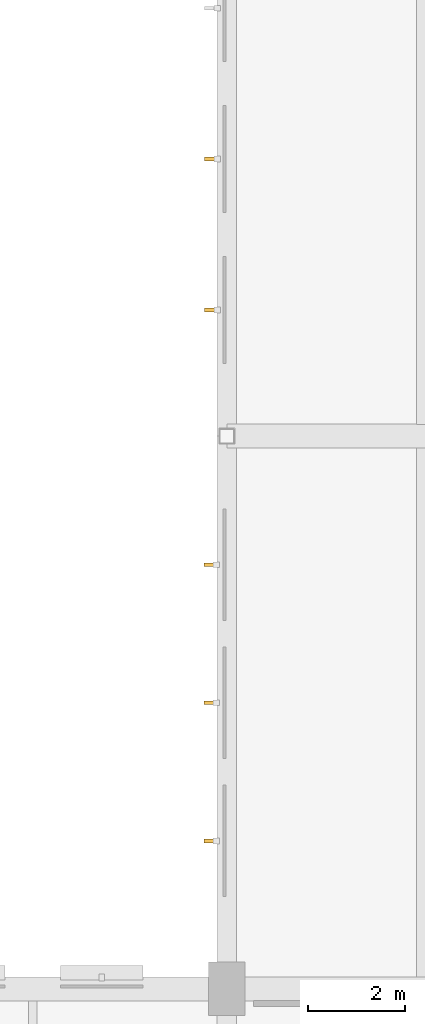
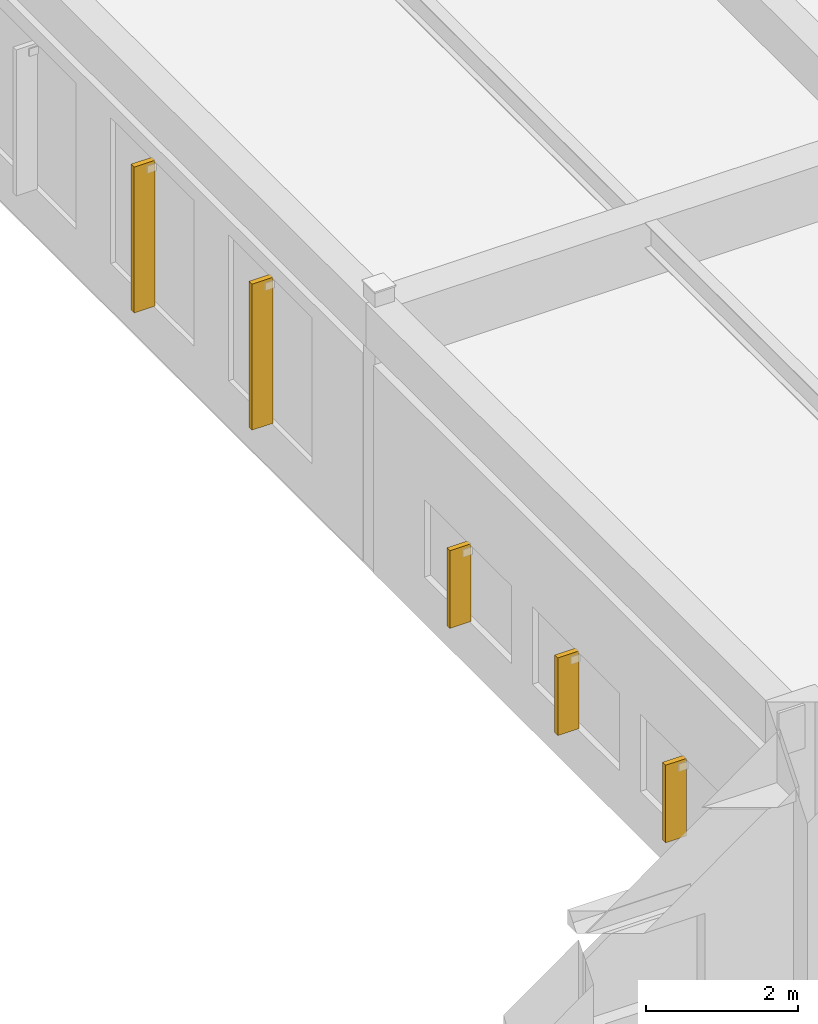
# One storey, part 76 of 80: 5 shading devices.
"""IFC4 building model written with IfcOpenShell, lengths in metres."""

from ifc_helpers import new_model, si_unit, direction, frame, origin, origin_2d, place, context, subcontext, project, spatial, rectangle, extrude, material, type_object, element, save


model = new_model("IFC4")

# Units and contexts
model_context = context("Model", 3, precision=1e-05, world=origin(), true_north=direction((0.0, 1.0)))
body_context = subcontext(model_context, "Body", "Model", "MODEL_VIEW")
ifc_project = project(units=[si_unit("LENGTHUNIT", "METRE"), si_unit("AREAUNIT", "SQUARE_METRE"), si_unit("VOLUMEUNIT", "CUBIC_METRE"), si_unit("PLANEANGLEUNIT", "RADIAN"), si_unit("MASSUNIT", "GRAM", prefix="KILO"), si_unit("POWERUNIT", "WATT"), si_unit("THERMODYNAMICTEMPERATUREUNIT", "KELVIN")], contexts=[model_context])

# Site, building, storey
site_placement = place(None, origin())
site = spatial("IfcSite", under=ifc_project, at=site_placement, CompositionType="ELEMENT")
building_placement = place(site_placement, origin())
building = spatial("IfcBuilding", under=site, at=building_placement, Name="Kelmbourne Parkland Aquatics Centre", CompositionType="ELEMENT")
storey_placement = place(building_placement, frame((0.0, 0.0, 10.199951171875)))
storey = spatial("IfcBuildingStorey", under=building, at=storey_placement, Name="L02", CompositionType="ELEMENT", Elevation=10.199951171875)

# Shading devices
ifc_material = material(Name="Architectural extruded terracotta baguettes", Category="masonry")
shading_device_type = type_object("IfcShadingDeviceType", Name="SHD-FIN-1", PredefinedType="USERDEFINED", material=ifc_material)
for number, where, z_axis, x_axis, name in (
    (1, (15.68505859375, 49.451904296875, 0.75), (0.0, 0.0, 1.0), (0.0, 1.0, 0.0), "Terracotta vertical solar fin 151"),
    (2, (15.68505859375, 52.300048828125, 0.75), (0.0, 0.0, 1.0), (0.0, 1.0, 0.0), "Terracotta vertical solar fin 152"),
    (3, (15.68505859375, 55.14794921875, 0.75), (0.0, 0.0, 1.0), (0.0, 1.0, 0.0), "Terracotta vertical solar fin 153"),
):
    element("IfcShadingDevice", number, at=place(storey_placement, frame(where, z_axis=z_axis, x_axis=x_axis)), inside=storey, type_object=shading_device_type, Name=name, ObjectType="SOLAR FIN", PredefinedType="USERDEFINED", context=body_context, shape_type="SweptSolid", body=[
        extrude(rectangle(XDim=0.080078125, YDim=0.320068359375, at=origin_2d()), origin(), (0.0, 0.0, 1.0), 1.25),
    ])
for number, where, z_axis, x_axis, name in (
    (4, (15.705078125, 60.402099609375, 0.75), (0.0, 0.0, 1.0), (0.0, 1.0, 0.0), "Terracotta vertical solar fin 154"),
    (5, (15.705078125, 63.512451171875, 0.75), (0.0, 0.0, 1.0), (0.0, 1.0, 0.0), "Terracotta vertical solar fin 155"),
):
    element("IfcShadingDevice", number, at=place(storey_placement, frame(where, z_axis=z_axis, x_axis=x_axis)), inside=storey, type_object=shading_device_type, Name=name, ObjectType="SOLAR FIN", PredefinedType="USERDEFINED", context=body_context, shape_type="SweptSolid", body=[
        extrude(rectangle(XDim=0.080078125, YDim=0.320068359375, at=origin_2d()), origin(), (0.0, 0.0, 1.0), 2.35009765625),
    ])

save(model, "model.ifc")
